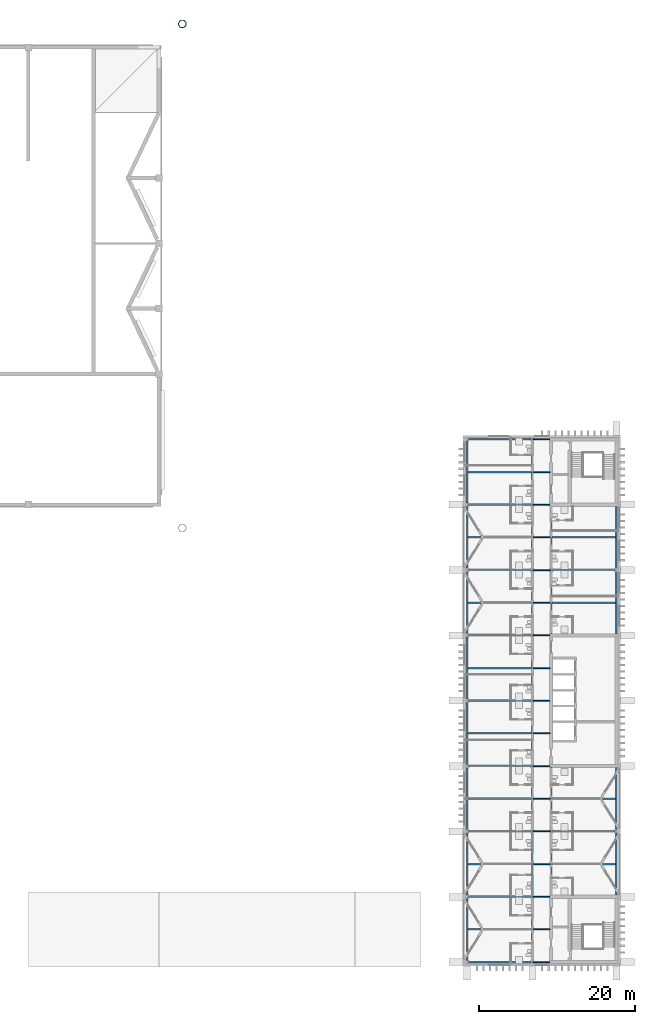
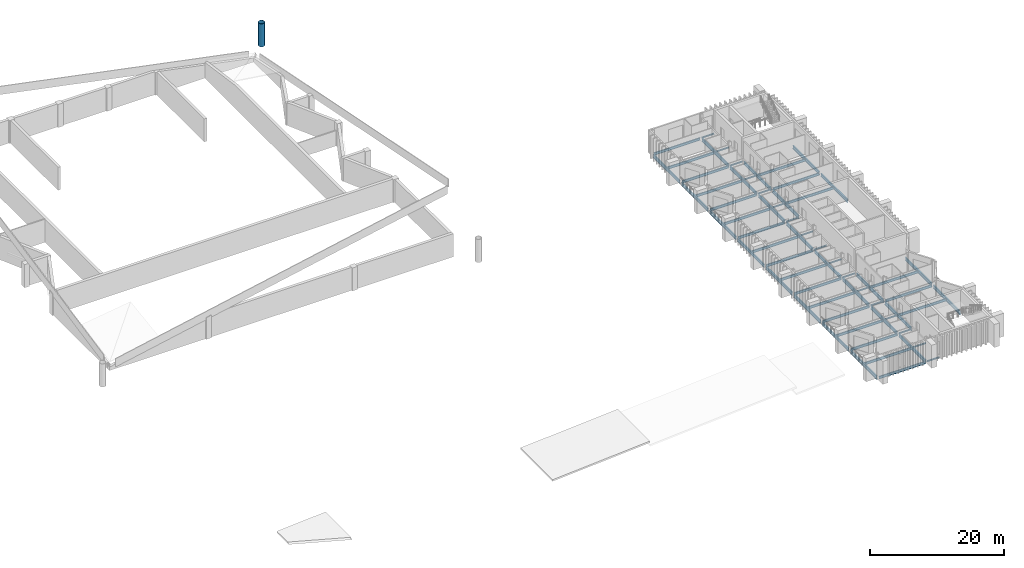
# One storey, part 7 of 21: 64 beams, 1 column.
"""IFC4 building model written with IfcOpenShell, lengths in metres."""

from ifc_helpers import new_model, si_unit, direction, frame, origin, origin_2d, place, context, subcontext, project, spatial, hollow_circle, i_section, extrude, material, material_profile, profile_set, type_object, element, save


model = new_model("IFC4")

# Units and contexts
model_context = context("Model", 3, precision=1e-05, world=origin(), true_north=direction((0.0, 1.0)))
body_context = subcontext(model_context, "Body", "Model", "MODEL_VIEW")
ifc_project = project(units=[si_unit("LENGTHUNIT", "METRE"), si_unit("AREAUNIT", "SQUARE_METRE"), si_unit("VOLUMEUNIT", "CUBIC_METRE"), si_unit("PLANEANGLEUNIT", "RADIAN"), si_unit("MASSUNIT", "GRAM", prefix="KILO")], contexts=[model_context])

# Site, building, storey
site_placement = place(None, origin())
site = spatial("IfcSite", under=ifc_project, at=site_placement, CompositionType="ELEMENT")
building_placement = place(site_placement, origin())
building = spatial("IfcBuilding", under=site, at=building_placement, Name="Cresset Court Congress Hotel", CompositionType="ELEMENT")
storey_placement = place(building_placement, frame((0.0, 0.0, 22.800048828125)))
storey = spatial("IfcBuildingStorey", under=building, at=storey_placement, Name="L05", CompositionType="ELEMENT", Elevation=22.800048828125)

# Column
ifc_material_1 = material(Name="Structural steel Q355B", Category="steel")
ifc_material_profile_1 = material_profile(ifc_material_1, hollow_circle(Radius=0.508056640625, WallThickness=0.050048828125, at=origin_2d()), Name="CHS1016x50")
ifc_profile_set_1 = profile_set([ifc_material_profile_1], Name="Structural steel Q355B")
column_type = type_object("IfcColumnType", Name="Mast tube 1016x50", PredefinedType="COLUMN", material=ifc_profile_set_1)
column_placement = place(storey_placement, frame((120.60009765625, 120.60009765625, 0.0), z_axis=(0.0, 0.0, 1.0), x_axis=(1.0, 0.0, 0.0)))
element("IfcColumn", 1, at=column_placement, inside=storey, type_object=column_type, Name="Mast M3", PredefinedType="COLUMN", context=body_context, shape_type="SweptSolid", body=[
    extrude(hollow_circle(Radius=0.508056640625, WallThickness=0.050048828125, at=origin_2d()), origin(), (0.0, 0.0, 1.0), 4.199951171875),
])

# Beams
ifc_material_2 = material(Name="Structural steel Q355B", Category="steel")
ifc_material_profile_2 = material_profile(ifc_material_2, i_section(OverallWidth=0.198974609375, OverallDepth=0.446044921875, WebThickness=0.008056640625, FlangeThickness=0.011962890625, FilletRadius=0.012939453125, at=origin_2d()), Name="HN446x199x8x12")
ifc_profile_set_2 = profile_set([ifc_material_profile_2], Name="Structural steel Q355B")
beam_type_1 = type_object("IfcBeamType", Name="Steel beam HN446x199x8x12", PredefinedType="BEAM", material=ifc_profile_set_2)
beam_1_placement = place(storey_placement, frame((157.402587890625, 0.0, -0.373046875), z_axis=(1.0, 0.0, 0.0), x_axis=(0.0, 1.0, 0.0)))
element("IfcBeam", 2, at=beam_1_placement, inside=storey, type_object=beam_type_1, Name="A.bm.L05.W.frame0.0", PredefinedType="BEAM", context=body_context, shape_type="SweptSolid", body=[
    extrude(i_section(OverallWidth=0.198974609375, OverallDepth=0.446044921875, WebThickness=0.008056640625, FlangeThickness=0.011962890625, FilletRadius=0.012939453125, at=origin_2d()), origin(), (0.0, 0.0, 1.0), 7.994873046875),
])
beam_2_placement = place(storey_placement, frame((157.300048828125, 4.199951171875, -0.373046875), z_axis=(1.0, 0.0, 0.0), x_axis=(0.0, 1.0, 0.0)))
element("IfcBeam", 3, at=beam_2_placement, inside=storey, type_object=beam_type_1, Name="A.bm.L05.W.mid.0", PredefinedType="BEAM", context=body_context, shape_type="SweptSolid", body=[
    extrude(i_section(OverallWidth=0.198974609375, OverallDepth=0.446044921875, WebThickness=0.008056640625, FlangeThickness=0.011962890625, FilletRadius=0.012939453125, at=origin_2d()), origin(), (0.0, 0.0, 1.0), 8.199951171875),
])
beam_3_placement = place(storey_placement, frame((157.402587890625, 8.39990234375, -0.373046875), z_axis=(1.0, 0.0, 0.0), x_axis=(0.0, 1.0, 0.0)))
element("IfcBeam", 4, at=beam_3_placement, inside=storey, type_object=beam_type_1, Name="A.bm.L05.W.frame0.1", PredefinedType="BEAM", context=body_context, shape_type="SweptSolid", body=[
    extrude(i_section(OverallWidth=0.198974609375, OverallDepth=0.446044921875, WebThickness=0.008056640625, FlangeThickness=0.011962890625, FilletRadius=0.012939453125, at=origin_2d()), origin(), (0.0, 0.0, 1.0), 7.994873046875),
])
for number, where, z_axis, x_axis, name in (
    (5, (157.300048828125, 12.60009765625, -0.373046875), (1.0, 0.0, 0.0), (0.0, 1.0, 0.0), "A.bm.L05.W.mid.1"),
    (6, (168.10009765625, 12.60009765625, -0.373046875), (1.0, 0.0, 0.0), (0.0, 1.0, 0.0), "A.bm.L05.E.mid.1"),
):
    element("IfcBeam", number, at=place(storey_placement, frame(where, z_axis=z_axis, x_axis=x_axis)), inside=storey, type_object=beam_type_1, Name=name, PredefinedType="BEAM", context=body_context, shape_type="SweptSolid", body=[
        extrude(i_section(OverallWidth=0.198974609375, OverallDepth=0.446044921875, WebThickness=0.008056640625, FlangeThickness=0.011962890625, FilletRadius=0.012939453125, at=origin_2d()), origin(), (0.0, 0.0, 1.0), 8.199951171875),
    ])
beam_4_placement = place(storey_placement, frame((157.402587890625, 16.800048828125, -0.373046875), z_axis=(1.0, 0.0, 0.0), x_axis=(0.0, 1.0, 0.0)))
element("IfcBeam", 7, at=beam_4_placement, inside=storey, type_object=beam_type_1, Name="A.bm.L05.W.frame0.2", PredefinedType="BEAM", context=body_context, shape_type="SweptSolid", body=[
    extrude(i_section(OverallWidth=0.198974609375, OverallDepth=0.446044921875, WebThickness=0.008056640625, FlangeThickness=0.011962890625, FilletRadius=0.012939453125, at=origin_2d()), origin(), (0.0, 0.0, 1.0), 7.994873046875),
])
beam_5_placement = place(storey_placement, frame((168.202392578125, 16.800048828125, -0.373046875), z_axis=(1.0, 0.0, 0.0), x_axis=(0.0, 1.0, 0.0)))
element("IfcBeam", 8, at=beam_5_placement, inside=storey, type_object=beam_type_1, Name="A.bm.L05.E.frame0.2", PredefinedType="BEAM", context=body_context, shape_type="SweptSolid", body=[
    extrude(i_section(OverallWidth=0.198974609375, OverallDepth=0.446044921875, WebThickness=0.008056640625, FlangeThickness=0.011962890625, FilletRadius=0.012939453125, at=origin_2d()), origin(), (0.0, 0.0, 1.0), 7.9951171875),
])
for number, where, z_axis, x_axis, name in (
    (9, (157.300048828125, 21.0, -0.373046875), (1.0, 0.0, 0.0), (0.0, 1.0, 0.0), "A.bm.L05.W.mid.2"),
    (10, (168.10009765625, 21.0, -0.373046875), (1.0, 0.0, 0.0), (0.0, 1.0, 0.0), "A.bm.L05.E.mid.2"),
):
    element("IfcBeam", number, at=place(storey_placement, frame(where, z_axis=z_axis, x_axis=x_axis)), inside=storey, type_object=beam_type_1, Name=name, PredefinedType="BEAM", context=body_context, shape_type="SweptSolid", body=[
        extrude(i_section(OverallWidth=0.198974609375, OverallDepth=0.446044921875, WebThickness=0.008056640625, FlangeThickness=0.011962890625, FilletRadius=0.012939453125, at=origin_2d()), origin(), (0.0, 0.0, 1.0), 8.199951171875),
    ])
beam_6_placement = place(storey_placement, frame((157.402587890625, 25.199951171875, -0.373046875), z_axis=(1.0, 0.0, 0.0), x_axis=(0.0, 1.0, 0.0)))
element("IfcBeam", 11, at=beam_6_placement, inside=storey, type_object=beam_type_1, Name="A.bm.L05.W.frame0.3", PredefinedType="BEAM", context=body_context, shape_type="SweptSolid", body=[
    extrude(i_section(OverallWidth=0.198974609375, OverallDepth=0.446044921875, WebThickness=0.008056640625, FlangeThickness=0.011962890625, FilletRadius=0.012939453125, at=origin_2d()), origin(), (0.0, 0.0, 1.0), 7.994873046875),
])
beam_7_placement = place(storey_placement, frame((157.300048828125, 29.39990234375, -0.373046875), z_axis=(1.0, 0.0, 0.0), x_axis=(0.0, 1.0, 0.0)))
element("IfcBeam", 12, at=beam_7_placement, inside=storey, type_object=beam_type_1, Name="A.bm.L05.W.mid.3", PredefinedType="BEAM", context=body_context, shape_type="SweptSolid", body=[
    extrude(i_section(OverallWidth=0.198974609375, OverallDepth=0.446044921875, WebThickness=0.008056640625, FlangeThickness=0.011962890625, FilletRadius=0.012939453125, at=origin_2d()), origin(), (0.0, 0.0, 1.0), 8.199951171875),
])
beam_8_placement = place(storey_placement, frame((157.402587890625, 33.60009765625, -0.373046875), z_axis=(1.0, 0.0, 0.0), x_axis=(0.0, 1.0, 0.0)))
element("IfcBeam", 13, at=beam_8_placement, inside=storey, type_object=beam_type_1, Name="A.bm.L05.W.frame0.4", PredefinedType="BEAM", context=body_context, shape_type="SweptSolid", body=[
    extrude(i_section(OverallWidth=0.198974609375, OverallDepth=0.446044921875, WebThickness=0.008056640625, FlangeThickness=0.011962890625, FilletRadius=0.012939453125, at=origin_2d()), origin(), (0.0, 0.0, 1.0), 7.994873046875),
])
beam_9_placement = place(storey_placement, frame((157.300048828125, 37.800048828125, -0.373046875), z_axis=(1.0, 0.0, 0.0), x_axis=(0.0, 1.0, 0.0)))
element("IfcBeam", 14, at=beam_9_placement, inside=storey, type_object=beam_type_1, Name="A.bm.L05.W.mid.4", PredefinedType="BEAM", context=body_context, shape_type="SweptSolid", body=[
    extrude(i_section(OverallWidth=0.198974609375, OverallDepth=0.446044921875, WebThickness=0.008056640625, FlangeThickness=0.011962890625, FilletRadius=0.012939453125, at=origin_2d()), origin(), (0.0, 0.0, 1.0), 8.199951171875),
])
beam_10_placement = place(storey_placement, frame((157.402587890625, 42.0, -0.373046875), z_axis=(1.0, 0.0, 0.0), x_axis=(0.0, 1.0, 0.0)))
element("IfcBeam", 15, at=beam_10_placement, inside=storey, type_object=beam_type_1, Name="A.bm.L05.W.frame0.5", PredefinedType="BEAM", context=body_context, shape_type="SweptSolid", body=[
    extrude(i_section(OverallWidth=0.198974609375, OverallDepth=0.446044921875, WebThickness=0.008056640625, FlangeThickness=0.011962890625, FilletRadius=0.012939453125, at=origin_2d()), origin(), (0.0, 0.0, 1.0), 7.994873046875),
])
for number, where, z_axis, x_axis, name in (
    (16, (157.300048828125, 46.199951171875, -0.373046875), (1.0, 0.0, 0.0), (0.0, 1.0, 0.0), "A.bm.L05.W.mid.5"),
    (17, (168.10009765625, 46.199951171875, -0.373046875), (1.0, 0.0, 0.0), (0.0, 1.0, 0.0), "A.bm.L05.E.mid.5"),
):
    element("IfcBeam", number, at=place(storey_placement, frame(where, z_axis=z_axis, x_axis=x_axis)), inside=storey, type_object=beam_type_1, Name=name, PredefinedType="BEAM", context=body_context, shape_type="SweptSolid", body=[
        extrude(i_section(OverallWidth=0.198974609375, OverallDepth=0.446044921875, WebThickness=0.008056640625, FlangeThickness=0.011962890625, FilletRadius=0.012939453125, at=origin_2d()), origin(), (0.0, 0.0, 1.0), 8.199951171875),
    ])
beam_11_placement = place(storey_placement, frame((157.402587890625, 50.39990234375, -0.373046875), z_axis=(1.0, 0.0, 0.0), x_axis=(0.0, 1.0, 0.0)))
element("IfcBeam", 18, at=beam_11_placement, inside=storey, type_object=beam_type_1, Name="A.bm.L05.W.frame0.6", PredefinedType="BEAM", context=body_context, shape_type="SweptSolid", body=[
    extrude(i_section(OverallWidth=0.198974609375, OverallDepth=0.446044921875, WebThickness=0.008056640625, FlangeThickness=0.011962890625, FilletRadius=0.012939453125, at=origin_2d()), origin(), (0.0, 0.0, 1.0), 7.994873046875),
])
beam_12_placement = place(storey_placement, frame((168.202392578125, 50.39990234375, -0.373046875), z_axis=(1.0, 0.0, 0.0), x_axis=(0.0, 1.0, 0.0)))
element("IfcBeam", 19, at=beam_12_placement, inside=storey, type_object=beam_type_1, Name="A.bm.L05.E.frame0.6", PredefinedType="BEAM", context=body_context, shape_type="SweptSolid", body=[
    extrude(i_section(OverallWidth=0.198974609375, OverallDepth=0.446044921875, WebThickness=0.008056640625, FlangeThickness=0.011962890625, FilletRadius=0.012939453125, at=origin_2d()), origin(), (0.0, 0.0, 1.0), 7.9951171875),
])
for number, where, z_axis, x_axis, name in (
    (20, (157.300048828125, 54.60009765625, -0.373046875), (1.0, 0.0, 0.0), (0.0, 1.0, 0.0), "A.bm.L05.W.mid.6"),
    (21, (168.10009765625, 54.60009765625, -0.373046875), (1.0, 0.0, 0.0), (0.0, 1.0, 0.0), "A.bm.L05.E.mid.6"),
):
    element("IfcBeam", number, at=place(storey_placement, frame(where, z_axis=z_axis, x_axis=x_axis)), inside=storey, type_object=beam_type_1, Name=name, PredefinedType="BEAM", context=body_context, shape_type="SweptSolid", body=[
        extrude(i_section(OverallWidth=0.198974609375, OverallDepth=0.446044921875, WebThickness=0.008056640625, FlangeThickness=0.011962890625, FilletRadius=0.012939453125, at=origin_2d()), origin(), (0.0, 0.0, 1.0), 8.199951171875),
    ])
beam_13_placement = place(storey_placement, frame((157.402587890625, 58.800048828125, -0.373046875), z_axis=(1.0, 0.0, 0.0), x_axis=(0.0, 1.0, 0.0)))
element("IfcBeam", 22, at=beam_13_placement, inside=storey, type_object=beam_type_1, Name="A.bm.L05.W.frame0.7", PredefinedType="BEAM", context=body_context, shape_type="SweptSolid", body=[
    extrude(i_section(OverallWidth=0.198974609375, OverallDepth=0.446044921875, WebThickness=0.008056640625, FlangeThickness=0.011962890625, FilletRadius=0.012939453125, at=origin_2d()), origin(), (0.0, 0.0, 1.0), 7.994873046875),
])
beam_14_placement = place(storey_placement, frame((157.300048828125, 63.0, -0.373046875), z_axis=(1.0, 0.0, 0.0), x_axis=(0.0, 1.0, 0.0)))
element("IfcBeam", 23, at=beam_14_placement, inside=storey, type_object=beam_type_1, Name="A.bm.L05.W.mid.7", PredefinedType="BEAM", context=body_context, shape_type="SweptSolid", body=[
    extrude(i_section(OverallWidth=0.198974609375, OverallDepth=0.446044921875, WebThickness=0.008056640625, FlangeThickness=0.011962890625, FilletRadius=0.012939453125, at=origin_2d()), origin(), (0.0, 0.0, 1.0), 8.199951171875),
])
beam_15_placement = place(storey_placement, frame((157.402587890625, 67.199951171875, -0.373046875), z_axis=(1.0, 0.0, 0.0), x_axis=(0.0, 1.0, 0.0)))
element("IfcBeam", 24, at=beam_15_placement, inside=storey, type_object=beam_type_1, Name="A.bm.L05.W.frame1.7", PredefinedType="BEAM", context=body_context, shape_type="SweptSolid", body=[
    extrude(i_section(OverallWidth=0.198974609375, OverallDepth=0.446044921875, WebThickness=0.008056640625, FlangeThickness=0.011962890625, FilletRadius=0.012939453125, at=origin_2d()), origin(), (0.0, 0.0, 1.0), 7.994873046875),
])
ifc_material_3 = material(Name="Structural steel Q355B", Category="steel")
ifc_material_profile_3 = material_profile(ifc_material_3, i_section(OverallWidth=0.125, OverallDepth=0.25, WebThickness=0.006103515625, FlangeThickness=0.009033203125, FilletRadius=0.012939453125, at=origin_2d()), Name="HN250x125x6x9")
ifc_profile_set_3 = profile_set([ifc_material_profile_3], Name="Structural steel Q355B")
beam_type_2 = type_object("IfcBeamType", Name="Steel corridor beam HN250x125x6x9", PredefinedType="BEAM", material=ifc_profile_set_3)
beam_16_placement = place(storey_placement, frame((165.60888671875, 0.0, -0.275146484375), z_axis=(1.0, 0.0, 0.0), x_axis=(0.0, 1.0, 0.0)))
element("IfcBeam", 25, at=beam_16_placement, inside=storey, type_object=beam_type_2, Name="A.bm.L05.C.frame0.0", PredefinedType="BEAM", context=body_context, shape_type="SweptSolid", body=[
    extrude(i_section(OverallWidth=0.125, OverallDepth=0.25, WebThickness=0.006103515625, FlangeThickness=0.009033203125, FilletRadius=0.012939453125, at=origin_2d()), origin(), (0.0, 0.0, 1.0), 2.191162109375),
])
beam_17_placement = place(storey_placement, frame((165.699951171875, 4.199951171875, -0.275146484375), z_axis=(1.0, 0.0, 0.0), x_axis=(0.0, 1.0, 0.0)))
element("IfcBeam", 26, at=beam_17_placement, inside=storey, type_object=beam_type_2, Name="A.bm.L05.C.mid.0", PredefinedType="BEAM", context=body_context, shape_type="SweptSolid", body=[
    extrude(i_section(OverallWidth=0.125, OverallDepth=0.25, WebThickness=0.006103515625, FlangeThickness=0.009033203125, FilletRadius=0.012939453125, at=origin_2d()), origin(), (0.0, 0.0, 1.0), 2.199951171875),
])
beam_18_placement = place(storey_placement, frame((165.60888671875, 8.39990234375, -0.275146484375), z_axis=(1.0, 0.0, 0.0), x_axis=(0.0, 1.0, 0.0)))
element("IfcBeam", 27, at=beam_18_placement, inside=storey, type_object=beam_type_2, Name="A.bm.L05.C.frame0.1", PredefinedType="BEAM", context=body_context, shape_type="SweptSolid", body=[
    extrude(i_section(OverallWidth=0.125, OverallDepth=0.25, WebThickness=0.006103515625, FlangeThickness=0.009033203125, FilletRadius=0.012939453125, at=origin_2d()), origin(), (0.0, 0.0, 1.0), 2.191162109375),
])
beam_19_placement = place(storey_placement, frame((165.699951171875, 12.60009765625, -0.275146484375), z_axis=(1.0, 0.0, 0.0), x_axis=(0.0, 1.0, 0.0)))
element("IfcBeam", 28, at=beam_19_placement, inside=storey, type_object=beam_type_2, Name="A.bm.L05.C.mid.1", PredefinedType="BEAM", context=body_context, shape_type="SweptSolid", body=[
    extrude(i_section(OverallWidth=0.125, OverallDepth=0.25, WebThickness=0.006103515625, FlangeThickness=0.009033203125, FilletRadius=0.012939453125, at=origin_2d()), origin(), (0.0, 0.0, 1.0), 2.199951171875),
])
beam_20_placement = place(storey_placement, frame((165.60888671875, 16.800048828125, -0.275146484375), z_axis=(1.0, 0.0, 0.0), x_axis=(0.0, 1.0, 0.0)))
element("IfcBeam", 29, at=beam_20_placement, inside=storey, type_object=beam_type_2, Name="A.bm.L05.C.frame0.2", PredefinedType="BEAM", context=body_context, shape_type="SweptSolid", body=[
    extrude(i_section(OverallWidth=0.125, OverallDepth=0.25, WebThickness=0.006103515625, FlangeThickness=0.009033203125, FilletRadius=0.012939453125, at=origin_2d()), origin(), (0.0, 0.0, 1.0), 2.382080078125),
])
beam_21_placement = place(storey_placement, frame((165.699951171875, 21.0, -0.275146484375), z_axis=(1.0, 0.0, 0.0), x_axis=(0.0, 1.0, 0.0)))
element("IfcBeam", 30, at=beam_21_placement, inside=storey, type_object=beam_type_2, Name="A.bm.L05.C.mid.2", PredefinedType="BEAM", context=body_context, shape_type="SweptSolid", body=[
    extrude(i_section(OverallWidth=0.125, OverallDepth=0.25, WebThickness=0.006103515625, FlangeThickness=0.009033203125, FilletRadius=0.012939453125, at=origin_2d()), origin(), (0.0, 0.0, 1.0), 2.199951171875),
])
beam_22_placement = place(storey_placement, frame((165.60888671875, 25.199951171875, -0.275146484375), z_axis=(1.0, 0.0, 0.0), x_axis=(0.0, 1.0, 0.0)))
element("IfcBeam", 31, at=beam_22_placement, inside=storey, type_object=beam_type_2, Name="A.bm.L05.C.frame0.3", PredefinedType="BEAM", context=body_context, shape_type="SweptSolid", body=[
    extrude(i_section(OverallWidth=0.125, OverallDepth=0.25, WebThickness=0.006103515625, FlangeThickness=0.009033203125, FilletRadius=0.012939453125, at=origin_2d()), origin(), (0.0, 0.0, 1.0), 2.191162109375),
])
beam_23_placement = place(storey_placement, frame((165.699951171875, 29.39990234375, -0.275146484375), z_axis=(1.0, 0.0, 0.0), x_axis=(0.0, 1.0, 0.0)))
element("IfcBeam", 32, at=beam_23_placement, inside=storey, type_object=beam_type_2, Name="A.bm.L05.C.mid.3", PredefinedType="BEAM", context=body_context, shape_type="SweptSolid", body=[
    extrude(i_section(OverallWidth=0.125, OverallDepth=0.25, WebThickness=0.006103515625, FlangeThickness=0.009033203125, FilletRadius=0.012939453125, at=origin_2d()), origin(), (0.0, 0.0, 1.0), 2.199951171875),
])
beam_24_placement = place(storey_placement, frame((165.60888671875, 33.60009765625, -0.275146484375), z_axis=(1.0, 0.0, 0.0), x_axis=(0.0, 1.0, 0.0)))
element("IfcBeam", 33, at=beam_24_placement, inside=storey, type_object=beam_type_2, Name="A.bm.L05.C.frame0.4", PredefinedType="BEAM", context=body_context, shape_type="SweptSolid", body=[
    extrude(i_section(OverallWidth=0.125, OverallDepth=0.25, WebThickness=0.006103515625, FlangeThickness=0.009033203125, FilletRadius=0.012939453125, at=origin_2d()), origin(), (0.0, 0.0, 1.0), 2.191162109375),
])
beam_25_placement = place(storey_placement, frame((165.699951171875, 37.800048828125, -0.275146484375), z_axis=(1.0, 0.0, 0.0), x_axis=(0.0, 1.0, 0.0)))
element("IfcBeam", 34, at=beam_25_placement, inside=storey, type_object=beam_type_2, Name="A.bm.L05.C.mid.4", PredefinedType="BEAM", context=body_context, shape_type="SweptSolid", body=[
    extrude(i_section(OverallWidth=0.125, OverallDepth=0.25, WebThickness=0.006103515625, FlangeThickness=0.009033203125, FilletRadius=0.012939453125, at=origin_2d()), origin(), (0.0, 0.0, 1.0), 2.199951171875),
])
beam_26_placement = place(storey_placement, frame((165.60888671875, 42.0, -0.275146484375), z_axis=(1.0, 0.0, 0.0), x_axis=(0.0, 1.0, 0.0)))
element("IfcBeam", 35, at=beam_26_placement, inside=storey, type_object=beam_type_2, Name="A.bm.L05.C.frame0.5", PredefinedType="BEAM", context=body_context, shape_type="SweptSolid", body=[
    extrude(i_section(OverallWidth=0.125, OverallDepth=0.25, WebThickness=0.006103515625, FlangeThickness=0.009033203125, FilletRadius=0.012939453125, at=origin_2d()), origin(), (0.0, 0.0, 1.0), 2.191162109375),
])
beam_27_placement = place(storey_placement, frame((165.699951171875, 46.199951171875, -0.275146484375), z_axis=(1.0, 0.0, 0.0), x_axis=(0.0, 1.0, 0.0)))
element("IfcBeam", 36, at=beam_27_placement, inside=storey, type_object=beam_type_2, Name="A.bm.L05.C.mid.5", PredefinedType="BEAM", context=body_context, shape_type="SweptSolid", body=[
    extrude(i_section(OverallWidth=0.125, OverallDepth=0.25, WebThickness=0.006103515625, FlangeThickness=0.009033203125, FilletRadius=0.012939453125, at=origin_2d()), origin(), (0.0, 0.0, 1.0), 2.199951171875),
])
beam_28_placement = place(storey_placement, frame((165.60888671875, 50.39990234375, -0.275146484375), z_axis=(1.0, 0.0, 0.0), x_axis=(0.0, 1.0, 0.0)))
element("IfcBeam", 37, at=beam_28_placement, inside=storey, type_object=beam_type_2, Name="A.bm.L05.C.frame0.6", PredefinedType="BEAM", context=body_context, shape_type="SweptSolid", body=[
    extrude(i_section(OverallWidth=0.125, OverallDepth=0.25, WebThickness=0.006103515625, FlangeThickness=0.009033203125, FilletRadius=0.012939453125, at=origin_2d()), origin(), (0.0, 0.0, 1.0), 2.382080078125),
])
beam_29_placement = place(storey_placement, frame((165.699951171875, 54.60009765625, -0.275146484375), z_axis=(1.0, 0.0, 0.0), x_axis=(0.0, 1.0, 0.0)))
element("IfcBeam", 38, at=beam_29_placement, inside=storey, type_object=beam_type_2, Name="A.bm.L05.C.mid.6", PredefinedType="BEAM", context=body_context, shape_type="SweptSolid", body=[
    extrude(i_section(OverallWidth=0.125, OverallDepth=0.25, WebThickness=0.006103515625, FlangeThickness=0.009033203125, FilletRadius=0.012939453125, at=origin_2d()), origin(), (0.0, 0.0, 1.0), 2.199951171875),
])
beam_30_placement = place(storey_placement, frame((165.60888671875, 58.800048828125, -0.275146484375), z_axis=(1.0, 0.0, 0.0), x_axis=(0.0, 1.0, 0.0)))
element("IfcBeam", 39, at=beam_30_placement, inside=storey, type_object=beam_type_2, Name="A.bm.L05.C.frame0.7", PredefinedType="BEAM", context=body_context, shape_type="SweptSolid", body=[
    extrude(i_section(OverallWidth=0.125, OverallDepth=0.25, WebThickness=0.006103515625, FlangeThickness=0.009033203125, FilletRadius=0.012939453125, at=origin_2d()), origin(), (0.0, 0.0, 1.0), 2.191162109375),
])
beam_31_placement = place(storey_placement, frame((165.699951171875, 63.0, -0.275146484375), z_axis=(1.0, 0.0, 0.0), x_axis=(0.0, 1.0, 0.0)))
element("IfcBeam", 40, at=beam_31_placement, inside=storey, type_object=beam_type_2, Name="A.bm.L05.C.mid.7", PredefinedType="BEAM", context=body_context, shape_type="SweptSolid", body=[
    extrude(i_section(OverallWidth=0.125, OverallDepth=0.25, WebThickness=0.006103515625, FlangeThickness=0.009033203125, FilletRadius=0.012939453125, at=origin_2d()), origin(), (0.0, 0.0, 1.0), 2.199951171875),
])
beam_32_placement = place(storey_placement, frame((165.60888671875, 67.199951171875, -0.275146484375), z_axis=(1.0, 0.0, 0.0), x_axis=(0.0, 1.0, 0.0)))
element("IfcBeam", 41, at=beam_32_placement, inside=storey, type_object=beam_type_2, Name="A.bm.L05.C.frame1.7", PredefinedType="BEAM", context=body_context, shape_type="SweptSolid", body=[
    extrude(i_section(OverallWidth=0.125, OverallDepth=0.25, WebThickness=0.006103515625, FlangeThickness=0.009033203125, FilletRadius=0.012939453125, at=origin_2d()), origin(), (0.0, 0.0, 1.0), 2.191162109375),
])
ifc_material_4 = material(Name="Structural steel Q355B", Category="steel")
ifc_material_profile_4 = material_profile(ifc_material_4, i_section(OverallWidth=0.199951171875, OverallDepth=0.60009765625, WebThickness=0.010986328125, FlangeThickness=0.01708984375, FilletRadius=0.012939453125, at=origin_2d()), Name="HN600x200x11x17")
ifc_profile_set_4 = profile_set([ifc_material_profile_4], Name="Structural steel Q355B")
beam_type_3 = type_object("IfcBeamType", Name="Steel girder HN600x200x11x17", PredefinedType="BEAM", material=ifc_profile_set_4)
for number, where, z_axis, x_axis, name in (
    (42, (157.199951171875, 0.20703125, -0.449951171875), (0.0, 1.0, 0.0), (-1.0, 0.0, 0.0), "A.gir.L05.0.0"),
    (43, (157.199951171875, 8.60693359375, -0.449951171875), (0.0, 1.0, 0.0), (-1.0, 0.0, 0.0), "A.gir.L05.0.1"),
):
    element("IfcBeam", number, at=place(storey_placement, frame(where, z_axis=z_axis, x_axis=x_axis)), inside=storey, type_object=beam_type_3, Name=name, PredefinedType="BEAM", context=body_context, shape_type="SweptSolid", body=[
        extrude(i_section(OverallWidth=0.199951171875, OverallDepth=0.60009765625, WebThickness=0.010986328125, FlangeThickness=0.01708984375, FilletRadius=0.012939453125, at=origin_2d()), origin(), (0.0, 0.0, 1.0), 7.986083984375),
    ])
beam_33_placement = place(storey_placement, frame((157.199951171875, 17.007080078125, -0.449951171875), z_axis=(0.0, 1.0, 0.0), x_axis=(-1.0, 0.0, 0.0)))
element("IfcBeam", 44, at=beam_33_placement, inside=storey, type_object=beam_type_3, Name="A.gir.L05.0.2", PredefinedType="BEAM", context=body_context, shape_type="SweptSolid", body=[
    extrude(i_section(OverallWidth=0.199951171875, OverallDepth=0.60009765625, WebThickness=0.010986328125, FlangeThickness=0.01708984375, FilletRadius=0.012939453125, at=origin_2d()), origin(), (0.0, 0.0, 1.0), 7.98583984375),
])
for number, where, z_axis, x_axis, name in (
    (45, (157.199951171875, 25.406982421875, -0.449951171875), (0.0, 1.0, 0.0), (-1.0, 0.0, 0.0), "A.gir.L05.0.3"),
    (46, (157.199951171875, 33.806884765625, -0.449951171875), (0.0, 1.0, 0.0), (-1.0, 0.0, 0.0), "A.gir.L05.0.4"),
    (47, (157.199951171875, 42.20703125, -0.449951171875), (0.0, 1.0, 0.0), (-1.0, 0.0, 0.0), "A.gir.L05.0.5"),
    (48, (157.199951171875, 50.60693359375, -0.449951171875), (0.0, 1.0, 0.0), (-1.0, 0.0, 0.0), "A.gir.L05.0.6"),
):
    element("IfcBeam", number, at=place(storey_placement, frame(where, z_axis=z_axis, x_axis=x_axis)), inside=storey, type_object=beam_type_3, Name=name, PredefinedType="BEAM", context=body_context, shape_type="SweptSolid", body=[
        extrude(i_section(OverallWidth=0.199951171875, OverallDepth=0.60009765625, WebThickness=0.010986328125, FlangeThickness=0.01708984375, FilletRadius=0.012939453125, at=origin_2d()), origin(), (0.0, 0.0, 1.0), 7.986083984375),
    ])
beam_34_placement = place(storey_placement, frame((157.199951171875, 59.007080078125, -0.449951171875), z_axis=(0.0, 1.0, 0.0), x_axis=(-1.0, 0.0, 0.0)))
element("IfcBeam", 49, at=beam_34_placement, inside=storey, type_object=beam_type_3, Name="A.gir.L05.0.7", PredefinedType="BEAM", context=body_context, shape_type="SweptSolid", body=[
    extrude(i_section(OverallWidth=0.199951171875, OverallDepth=0.60009765625, WebThickness=0.010986328125, FlangeThickness=0.01708984375, FilletRadius=0.012939453125, at=origin_2d()), origin(), (0.0, 0.0, 1.0), 7.98583984375),
])
for number, where, z_axis, x_axis, name in (
    (50, (165.60009765625, 0.20703125, -0.449951171875), (0.0, 1.0, 0.0), (-1.0, 0.0, 0.0), "A.gir.L05.1.0"),
    (51, (165.60009765625, 8.60693359375, -0.449951171875), (0.0, 1.0, 0.0), (-1.0, 0.0, 0.0), "A.gir.L05.1.1"),
):
    element("IfcBeam", number, at=place(storey_placement, frame(where, z_axis=z_axis, x_axis=x_axis)), inside=storey, type_object=beam_type_3, Name=name, PredefinedType="BEAM", context=body_context, shape_type="SweptSolid", body=[
        extrude(i_section(OverallWidth=0.199951171875, OverallDepth=0.60009765625, WebThickness=0.010986328125, FlangeThickness=0.01708984375, FilletRadius=0.012939453125, at=origin_2d()), origin(), (0.0, 0.0, 1.0), 7.986083984375),
    ])
beam_35_placement = place(storey_placement, frame((165.60009765625, 17.007080078125, -0.449951171875), z_axis=(0.0, 1.0, 0.0), x_axis=(-1.0, 0.0, 0.0)))
element("IfcBeam", 52, at=beam_35_placement, inside=storey, type_object=beam_type_3, Name="A.gir.L05.1.2", PredefinedType="BEAM", context=body_context, shape_type="SweptSolid", body=[
    extrude(i_section(OverallWidth=0.199951171875, OverallDepth=0.60009765625, WebThickness=0.010986328125, FlangeThickness=0.01708984375, FilletRadius=0.012939453125, at=origin_2d()), origin(), (0.0, 0.0, 1.0), 7.98583984375),
])
for number, where, z_axis, x_axis, name in (
    (53, (165.60009765625, 25.406982421875, -0.449951171875), (0.0, 1.0, 0.0), (-1.0, 0.0, 0.0), "A.gir.L05.1.3"),
    (54, (165.60009765625, 33.806884765625, -0.449951171875), (0.0, 1.0, 0.0), (-1.0, 0.0, 0.0), "A.gir.L05.1.4"),
    (55, (165.60009765625, 42.20703125, -0.449951171875), (0.0, 1.0, 0.0), (-1.0, 0.0, 0.0), "A.gir.L05.1.5"),
    (56, (165.60009765625, 50.60693359375, -0.449951171875), (0.0, 1.0, 0.0), (-1.0, 0.0, 0.0), "A.gir.L05.1.6"),
):
    element("IfcBeam", number, at=place(storey_placement, frame(where, z_axis=z_axis, x_axis=x_axis)), inside=storey, type_object=beam_type_3, Name=name, PredefinedType="BEAM", context=body_context, shape_type="SweptSolid", body=[
        extrude(i_section(OverallWidth=0.199951171875, OverallDepth=0.60009765625, WebThickness=0.010986328125, FlangeThickness=0.01708984375, FilletRadius=0.012939453125, at=origin_2d()), origin(), (0.0, 0.0, 1.0), 7.986083984375),
    ])
beam_36_placement = place(storey_placement, frame((165.60009765625, 59.007080078125, -0.449951171875), z_axis=(0.0, 1.0, 0.0), x_axis=(-1.0, 0.0, 0.0)))
element("IfcBeam", 57, at=beam_36_placement, inside=storey, type_object=beam_type_3, Name="A.gir.L05.1.7", PredefinedType="BEAM", context=body_context, shape_type="SweptSolid", body=[
    extrude(i_section(OverallWidth=0.199951171875, OverallDepth=0.60009765625, WebThickness=0.010986328125, FlangeThickness=0.01708984375, FilletRadius=0.012939453125, at=origin_2d()), origin(), (0.0, 0.0, 1.0), 7.98583984375),
])
for number, where, z_axis, x_axis, name in (
    (58, (168.0, 8.60009765625, -0.449951171875), (0.0, 1.0, 0.0), (-1.0, 0.0, 0.0), "A.gir.L05.2.1"),
    (59, (168.0, 17.007080078125, -0.449951171875), (0.0, 1.0, 0.0), (-1.0, 0.0, 0.0), "A.gir.L05.2.2"),
):
    element("IfcBeam", number, at=place(storey_placement, frame(where, z_axis=z_axis, x_axis=x_axis)), inside=storey, type_object=beam_type_3, Name=name, PredefinedType="BEAM", context=body_context, shape_type="SweptSolid", body=[
        extrude(i_section(OverallWidth=0.199951171875, OverallDepth=0.60009765625, WebThickness=0.010986328125, FlangeThickness=0.01708984375, FilletRadius=0.012939453125, at=origin_2d()), origin(), (0.0, 0.0, 1.0), 7.992919921875),
    ])
for number, where, z_axis, x_axis, name in (
    (60, (168.0, 42.199951171875, -0.449951171875), (0.0, 1.0, 0.0), (-1.0, 0.0, 0.0), "A.gir.L05.2.5"),
    (61, (168.0, 50.60693359375, -0.449951171875), (0.0, 1.0, 0.0), (-1.0, 0.0, 0.0), "A.gir.L05.2.6"),
):
    element("IfcBeam", number, at=place(storey_placement, frame(where, z_axis=z_axis, x_axis=x_axis)), inside=storey, type_object=beam_type_3, Name=name, PredefinedType="BEAM", context=body_context, shape_type="SweptSolid", body=[
        extrude(i_section(OverallWidth=0.199951171875, OverallDepth=0.60009765625, WebThickness=0.010986328125, FlangeThickness=0.01708984375, FilletRadius=0.012939453125, at=origin_2d()), origin(), (0.0, 0.0, 1.0), 7.9931640625),
    ])
for number, where, z_axis, x_axis, name in (
    (62, (176.39990234375, 8.60009765625, -0.449951171875), (0.0, 1.0, 0.0), (-1.0, 0.0, 0.0), "A.gir.L05.3.1"),
    (63, (176.39990234375, 17.007080078125, -0.449951171875), (0.0, 1.0, 0.0), (-1.0, 0.0, 0.0), "A.gir.L05.3.2"),
):
    element("IfcBeam", number, at=place(storey_placement, frame(where, z_axis=z_axis, x_axis=x_axis)), inside=storey, type_object=beam_type_3, Name=name, PredefinedType="BEAM", context=body_context, shape_type="SweptSolid", body=[
        extrude(i_section(OverallWidth=0.199951171875, OverallDepth=0.60009765625, WebThickness=0.010986328125, FlangeThickness=0.01708984375, FilletRadius=0.012939453125, at=origin_2d()), origin(), (0.0, 0.0, 1.0), 7.992919921875),
    ])
for number, where, z_axis, x_axis, name in (
    (64, (176.39990234375, 42.199951171875, -0.449951171875), (0.0, 1.0, 0.0), (-1.0, 0.0, 0.0), "A.gir.L05.3.5"),
    (65, (176.39990234375, 50.60693359375, -0.449951171875), (0.0, 1.0, 0.0), (-1.0, 0.0, 0.0), "A.gir.L05.3.6"),
):
    element("IfcBeam", number, at=place(storey_placement, frame(where, z_axis=z_axis, x_axis=x_axis)), inside=storey, type_object=beam_type_3, Name=name, PredefinedType="BEAM", context=body_context, shape_type="SweptSolid", body=[
        extrude(i_section(OverallWidth=0.199951171875, OverallDepth=0.60009765625, WebThickness=0.010986328125, FlangeThickness=0.01708984375, FilletRadius=0.012939453125, at=origin_2d()), origin(), (0.0, 0.0, 1.0), 7.9931640625),
    ])

save(model, "model.ifc")
